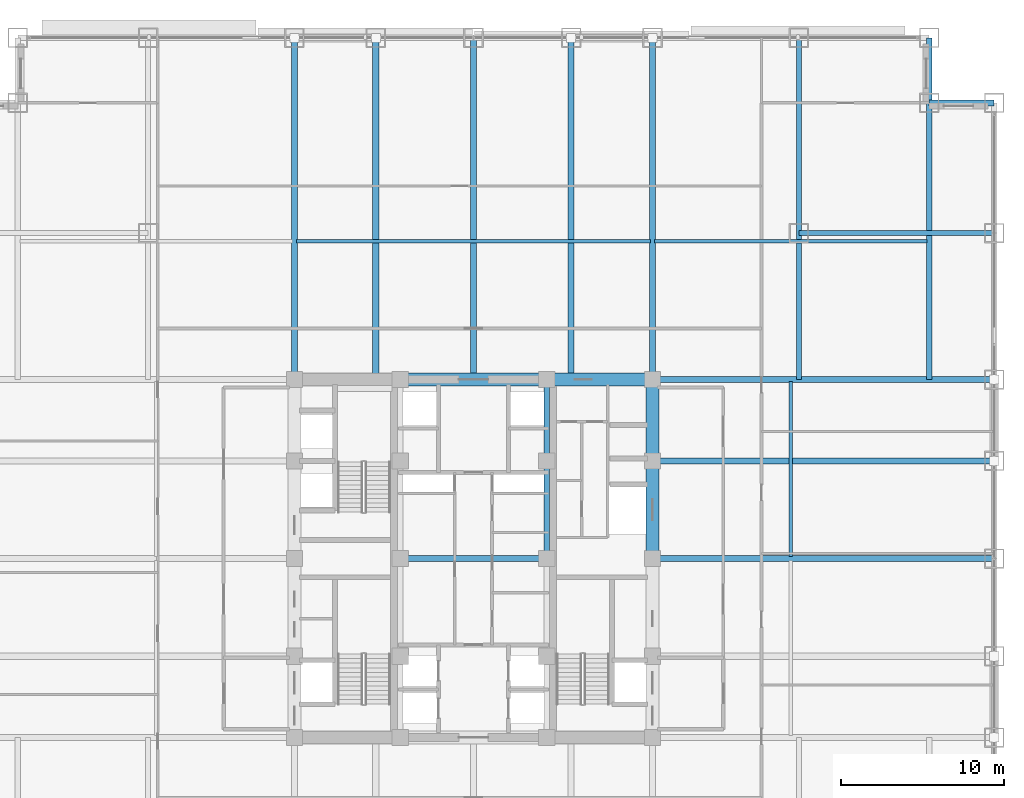
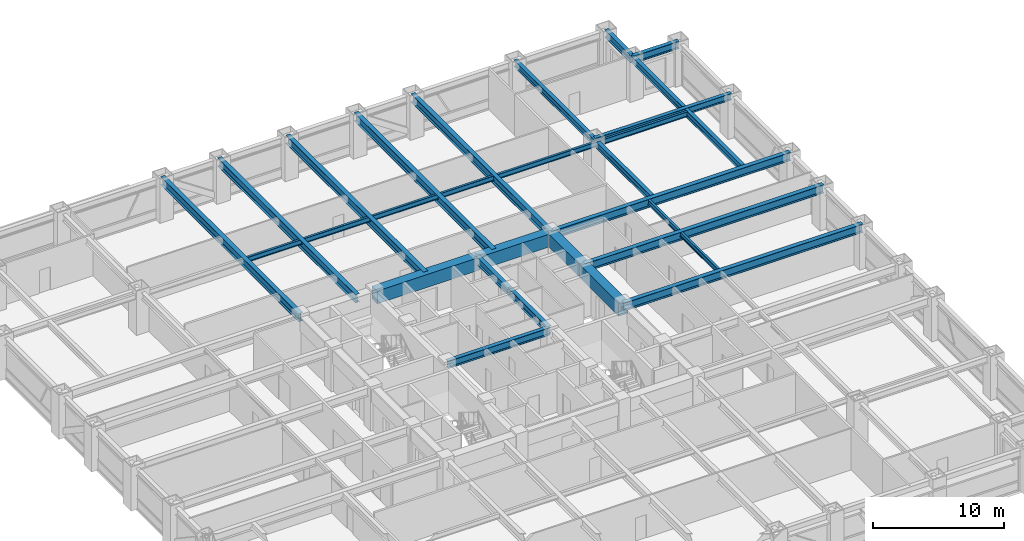
# One storey, part 11 of 32: 23 beams.
"""IFC4 building model written with IfcOpenShell, lengths in metres."""

from ifc_helpers import new_model, si_unit, direction, frame, origin, origin_2d, place, context, subcontext, project, spatial, rectangle, i_section, extrude, source, transform, mapped, material, material_profile, profile_set, type_object, element, save


model = new_model("IFC4")

# Units and contexts
model_context = context("Model", 3, precision=1e-05, world=origin(), true_north=direction((0.0, 1.0)))
body_context = subcontext(model_context, "Body", "Model", "MODEL_VIEW")
ifc_project = project(units=[si_unit("LENGTHUNIT", "METRE"), si_unit("AREAUNIT", "SQUARE_METRE"), si_unit("VOLUMEUNIT", "CUBIC_METRE"), si_unit("PLANEANGLEUNIT", "RADIAN"), si_unit("MASSUNIT", "GRAM", prefix="KILO")], contexts=[model_context])

# Site, building, storey
site_placement = place(None, origin())
site = spatial("IfcSite", under=ifc_project, at=site_placement, CompositionType="ELEMENT")
building_placement = place(site_placement, origin())
building = spatial("IfcBuilding", under=site, at=building_placement, Name="Khorayat Bourse Tower", CompositionType="ELEMENT")
storey_placement = place(building_placement, frame((0.0, 0.0, 95.5)))
storey = spatial("IfcBuildingStorey", under=building, at=storey_placement, Name="L21", CompositionType="ELEMENT", Elevation=95.5)

# Beams
ifc_material_1 = material(Name="Concrete C72/90", Category="concrete")
ifc_material_profile_1 = material_profile(ifc_material_1, rectangle(XDim=0.800048828125, YDim=1.199951171875, at=origin_2d()), Name="RC 800x1200")
ifc_profile_set_1 = profile_set([ifc_material_profile_1], Name="Concrete C72/90")
beam_type_1 = type_object("IfcBeamType", Name="BM-COUP-1200", PredefinedType="BEAM", material=ifc_profile_set_1)
shared_shape_1 = source(origin(), body_context, "Body", "SweptSolid", [
    extrude(rectangle(XDim=0.800048828125, YDim=1.199951171875, at=origin_2d()), origin(), (0.0, 0.0, 1.0), 5.0),
])
beam_1_placement = place(storey_placement, frame((11.0, 6.0, 3.239990234375), z_axis=(0.0, 1.0, 0.0), x_axis=(-1.0, 0.0, 0.0)))
element("IfcBeam", 1, at=beam_1_placement, inside=storey, type_object=beam_type_1, Name="L21 BM-COUP-1200 BM-L21-CRX-16", PredefinedType="BEAM", context=body_context, shape_type="MappedRepresentation", body=[
    mapped(shared_shape_1, transform((0.0, 0.0, 0.0), scale=1.0)),
])
shared_shape_2 = source(origin(), body_context, "Body", "SweptSolid", [
    extrude(rectangle(XDim=0.800048828125, YDim=1.199951171875, at=origin_2d()), origin(), (0.0, 0.0, 1.0), 6.0),
])
beam_2_placement = place(storey_placement, frame((11.0, 0.0, 3.239990234375), z_axis=(0.0, 1.0, 0.0), x_axis=(-1.0, 0.0, 0.0)))
element("IfcBeam", 2, at=beam_2_placement, inside=storey, type_object=beam_type_1, Name="L21 BM-COUP-1200 BM-L21-CRX-15", PredefinedType="BEAM", context=body_context, shape_type="MappedRepresentation", body=[
    mapped(shared_shape_2, transform((0.0, 0.0, 0.0), scale=1.0)),
])
ifc_material_2 = material(Name="Steel ASTM A992 Grade 50", Category="steel")
ifc_material_profile_2 = material_profile(ifc_material_2, i_section(OverallWidth=0.35498046875, OverallDepth=0.695068359375, WebThickness=0.015380859375, FlangeThickness=0.02490234375, FilletRadius=0.01806640625, at=origin_2d()), Name="W690X217")
ifc_profile_set_2 = profile_set([ifc_material_profile_2], Name="Steel ASTM A992 Grade 50")
beam_type_2 = type_object("IfcBeamType", Name="BM-GIRD-690", PredefinedType="BEAM", material=ifc_profile_set_2)
shared_shape_3 = source(origin(), body_context, "Body", "SweptSolid", [
    extrude(i_section(OverallWidth=0.35498046875, OverallDepth=0.695068359375, WebThickness=0.015380859375, FlangeThickness=0.02490234375, FilletRadius=0.01806640625, at=origin_2d()), origin(), (0.0, 0.0, 1.0), 5.0),
])
beam_3_placement = place(storey_placement, frame((4.5, 6.0, 3.492431640625), z_axis=(0.0, 1.0, 0.0), x_axis=(-1.0, 0.0, 0.0)))
element("IfcBeam", 3, at=beam_3_placement, inside=storey, type_object=beam_type_2, Name="L21 BM-GIRD-690 BM-L21-CRX-12", PredefinedType="BEAM", context=body_context, shape_type="MappedRepresentation", body=[
    mapped(shared_shape_3, transform((0.0, 0.0, 0.0), scale=1.0)),
])
shared_shape_4 = source(origin(), body_context, "Body", "SweptSolid", [
    extrude(i_section(OverallWidth=0.35498046875, OverallDepth=0.695068359375, WebThickness=0.015380859375, FlangeThickness=0.02490234375, FilletRadius=0.01806640625, at=origin_2d()), origin(), (0.0, 0.0, 1.0), 6.0),
])
beam_4_placement = place(storey_placement, frame((4.5, 0.0, 3.492431640625), z_axis=(0.0, 1.0, 0.0), x_axis=(-1.0, 0.0, 0.0)))
element("IfcBeam", 4, at=beam_4_placement, inside=storey, type_object=beam_type_2, Name="L21 BM-GIRD-690 BM-L21-CRX-11", PredefinedType="BEAM", context=body_context, shape_type="MappedRepresentation", body=[
    mapped(shared_shape_4, transform((0.0, 0.0, 0.0), scale=1.0)),
])
shared_shape_5 = source(origin(), body_context, "Body", "SweptSolid", [
    extrude(rectangle(XDim=0.800048828125, YDim=1.199951171875, at=origin_2d()), origin(), (0.0, 0.0, 1.0), 6.5),
])
beam_5_placement = place(storey_placement, frame((4.5, 11.0, 3.239990234375), z_axis=(1.0, 0.0, 0.0), x_axis=(0.0, 1.0, 0.0)))
element("IfcBeam", 5, at=beam_5_placement, inside=storey, type_object=beam_type_1, Name="L21 BM-COUP-1200 BM-L21-CRY-22", PredefinedType="BEAM", context=body_context, shape_type="MappedRepresentation", body=[
    mapped(shared_shape_5, transform((0.0, 0.0, 0.0), scale=1.0)),
])
shared_shape_6 = source(origin(), body_context, "Body", "SweptSolid", [
    extrude(rectangle(XDim=0.800048828125, YDim=1.199951171875, at=origin_2d()), origin(), (0.0, 0.0, 1.0), 9.0),
])
beam_6_placement = place(storey_placement, frame((-4.5, 11.0, 3.239990234375), z_axis=(1.0, 0.0, 0.0), x_axis=(0.0, 1.0, 0.0)))
element("IfcBeam", 6, at=beam_6_placement, inside=storey, type_object=beam_type_1, Name="L21 BM-COUP-1200 BM-L21-CRY-21", PredefinedType="BEAM", context=body_context, shape_type="MappedRepresentation", body=[
    mapped(shared_shape_6, transform((0.0, 0.0, 0.0), scale=1.0)),
])
shared_shape_7 = source(origin(), body_context, "Body", "SweptSolid", [
    extrude(i_section(OverallWidth=0.35498046875, OverallDepth=0.695068359375, WebThickness=0.015380859375, FlangeThickness=0.02490234375, FilletRadius=0.01806640625, at=origin_2d()), origin(), (0.0, 0.0, 1.0), 9.0),
])
beam_7_placement = place(storey_placement, frame((-4.5, 0.0, 3.492431640625), z_axis=(1.0, 0.0, 0.0), x_axis=(0.0, 1.0, 0.0)))
element("IfcBeam", 7, at=beam_7_placement, inside=storey, type_object=beam_type_2, Name="L21 BM-GIRD-690 BM-L21-CRY-23", PredefinedType="BEAM", context=body_context, shape_type="MappedRepresentation", body=[
    mapped(shared_shape_7, transform((0.0, 0.0, 0.0), scale=1.0)),
])
ifc_material_profile_3 = material_profile(ifc_material_2, i_section(OverallWidth=0.324951171875, OverallDepth=0.615966796875, WebThickness=0.013916015625, FlangeThickness=0.021484375, FilletRadius=0.01611328125, at=origin_2d()), Name="W610X174")
ifc_profile_set_3 = profile_set([ifc_material_profile_3], Name="Steel ASTM A992 Grade 50")
beam_type_3 = type_object("IfcBeamType", Name="BM-GIRD-610", PredefinedType="BEAM", material=ifc_profile_set_3)
shared_shape_8 = source(origin(), body_context, "Body", "SweptSolid", [
    extrude(i_section(OverallWidth=0.324951171875, OverallDepth=0.615966796875, WebThickness=0.013916015625, FlangeThickness=0.021484375, FilletRadius=0.01611328125, at=origin_2d()), origin(), (0.0, 0.0, 1.0), 21.0),
])
beam_8_placement = place(storey_placement, frame((20.0, 11.0, 3.531982421875), z_axis=(0.0, 1.0, 0.0), x_axis=(-1.0, 0.0, 0.0)))
element("IfcBeam", 8, at=beam_8_placement, inside=storey, type_object=beam_type_3, Name="L21 BM-GIRD-610 BM-L21-CNRY-087", PredefinedType="BEAM", context=body_context, shape_type="MappedRepresentation", body=[
    mapped(shared_shape_8, transform((0.0, 0.0, 0.0), scale=1.0)),
])
shared_shape_9 = source(origin(), body_context, "Body", "SweptSolid", [
    extrude(i_section(OverallWidth=0.324951171875, OverallDepth=0.615966796875, WebThickness=0.013916015625, FlangeThickness=0.021484375, FilletRadius=0.01611328125, at=origin_2d()), origin(), (0.0, 0.0, 1.0), 12.0),
])
beam_9_placement = place(storey_placement, frame((20.0, 20.0, 3.531982421875), z_axis=(1.0, 0.0, 0.0), x_axis=(0.0, 1.0, 0.0)))
element("IfcBeam", 9, at=beam_9_placement, inside=storey, type_object=beam_type_3, Name="L21 BM-GIRD-610 BM-L21-CNRX-094", PredefinedType="BEAM", context=body_context, shape_type="MappedRepresentation", body=[
    mapped(shared_shape_9, transform((0.0, 0.0, 0.0), scale=1.0)),
])
ifc_material_profile_4 = material_profile(ifc_material_2, i_section(OverallWidth=0.194091796875, OverallDepth=0.468994140625, WebThickness=0.0126953125, FlangeThickness=0.0205078125, FilletRadius=0.012939453125, at=origin_2d()), Name="W460X106")
ifc_profile_set_4 = profile_set([ifc_material_profile_4], Name="Steel ASTM A992 Grade 50")
beam_type_4 = type_object("IfcBeamType", Name="BM-JOIST-460", PredefinedType="JOIST", material=ifc_profile_set_4)
shared_shape_10 = source(origin(), body_context, "Body", "SweptSolid", [
    extrude(i_section(OverallWidth=0.194091796875, OverallDepth=0.468994140625, WebThickness=0.0126953125, FlangeThickness=0.0205078125, FilletRadius=0.012939453125, at=origin_2d()), origin(), (0.0, 0.0, 1.0), 21.740234375),
])
beam_10_placement = place(storey_placement, frame((-10.8701171875, 19.5, 3.60546875), z_axis=(1.0, 0.0, 0.0), x_axis=(0.0, 1.0, 0.0)))
element("IfcBeam", 10, at=beam_10_placement, inside=storey, type_object=beam_type_4, Name="L21 BM-JOIST-460 BM-L21-JSTX-100", PredefinedType="JOIST", context=body_context, shape_type="MappedRepresentation", body=[
    mapped(shared_shape_10, transform((0.0, 0.0, 0.0), scale=1.0)),
])
shared_shape_11 = source(origin(), body_context, "Body", "SweptSolid", [
    extrude(i_section(OverallWidth=0.194091796875, OverallDepth=0.468994140625, WebThickness=0.0126953125, FlangeThickness=0.0205078125, FilletRadius=0.012939453125, at=origin_2d()), origin(), (0.0, 0.0, 1.0), 10.740234375),
])
beam_11_placement = place(storey_placement, frame((19.5, 0.1298828125, 3.60546875), z_axis=(0.0, 1.0, 0.0), x_axis=(-1.0, 0.0, 0.0)))
element("IfcBeam", 11, at=beam_11_placement, inside=storey, type_object=beam_type_4, Name="L21 BM-JOIST-460 BM-L21-JSTY-105", PredefinedType="JOIST", context=body_context, shape_type="MappedRepresentation", body=[
    mapped(shared_shape_11, transform((0.0, 0.0, 0.0), scale=1.0)),
])
ifc_material_profile_5 = material_profile(ifc_material_2, i_section(OverallWidth=0.35498046875, OverallDepth=0.695068359375, WebThickness=0.015380859375, FlangeThickness=0.02490234375, FilletRadius=0.01806640625, at=origin_2d()), Name="W690X217")
ifc_profile_set_5 = profile_set([ifc_material_profile_5], Name="Steel ASTM A992 Grade 50")
beam_type_5 = type_object("IfcBeamType", Name="BM-SPAN-690", PredefinedType="SPANDREL", material=ifc_profile_set_5)
shared_shape_12 = source(origin(), body_context, "Body", "SweptSolid", [
    extrude(i_section(OverallWidth=0.35498046875, OverallDepth=0.695068359375, WebThickness=0.015380859375, FlangeThickness=0.02490234375, FilletRadius=0.01806640625, at=origin_2d()), origin(), (0.0, 0.0, 1.0), 4.0),
])
for number, where, z_axis, x_axis, name in (
    (12, (28.0, 28.0, 3.492431640625), (1.0, 0.0, 0.0), (0.0, 1.0, 0.0), "L21 BM-SPAN-690 BM-L21-SPN-042"),
    (13, (28.0, 28.0, 3.492431640625), (0.0, 1.0, 0.0), (-1.0, 0.0, 0.0), "L21 BM-SPAN-690 BM-L21-SPN-043"),
):
    element("IfcBeam", number, at=place(storey_placement, frame(where, z_axis=z_axis, x_axis=x_axis)), inside=storey, type_object=beam_type_5, Name=name, PredefinedType="SPANDREL", context=body_context, shape_type="MappedRepresentation", body=[
        mapped(shared_shape_12, transform((0.0, 0.0, 0.0), scale=1.0)),
    ])
ifc_material_profile_6 = material_profile(ifc_material_2, i_section(OverallWidth=0.381103515625, OverallDepth=0.77294921875, WebThickness=0.0166015625, FlangeThickness=0.027587890625, FilletRadius=0.01806640625, at=origin_2d()), Name="W760X257")
ifc_profile_set_6 = profile_set([ifc_material_profile_6], Name="Steel ASTM A992 Grade 50")
beam_type_6 = type_object("IfcBeamType", Name="BM-GIRD-760", PredefinedType="BEAM", material=ifc_profile_set_6)
shared_shape_13 = source(origin(), body_context, "Body", "SweptSolid", [
    extrude(i_section(OverallWidth=0.381103515625, OverallDepth=0.77294921875, WebThickness=0.0166015625, FlangeThickness=0.027587890625, FilletRadius=0.01806640625, at=origin_2d()), origin(), (0.0, 0.0, 1.0), 21.0),
])
for number, where, z_axis, x_axis, name in (
    (14, (-11.0, 11.0, 3.45361328125), (0.0, 1.0, 0.0), (-1.0, 0.0, 0.0), "L21 BM-GIRD-760 BM-L21-RADY-064"),
    (15, (-6.0, 11.0, 3.45361328125), (0.0, 1.0, 0.0), (-1.0, 0.0, 0.0), "L21 BM-GIRD-760 BM-L21-RADY-066"),
    (16, (0.0, 11.0, 3.45361328125), (0.0, 1.0, 0.0), (-1.0, 0.0, 0.0), "L21 BM-GIRD-760 BM-L21-RADY-068"),
    (17, (6.0, 11.0, 3.45361328125), (0.0, 1.0, 0.0), (-1.0, 0.0, 0.0), "L21 BM-GIRD-760 BM-L21-RADY-070"),
    (18, (11.0, 11.0, 3.45361328125), (0.0, 1.0, 0.0), (-1.0, 0.0, 0.0), "L21 BM-GIRD-760 BM-L21-RADY-072"),
    (19, (11.0, 0.0, 3.45361328125), (1.0, 0.0, 0.0), (0.0, 1.0, 0.0), "L21 BM-GIRD-760 BM-L21-RADX-078"),
    (20, (11.0, 6.0, 3.45361328125), (1.0, 0.0, 0.0), (0.0, 1.0, 0.0), "L21 BM-GIRD-760 BM-L21-RADX-080"),
    (21, (11.0, 11.0, 3.45361328125), (1.0, 0.0, 0.0), (0.0, 1.0, 0.0), "L21 BM-GIRD-760 BM-L21-RADX-082"),
):
    element("IfcBeam", number, at=place(storey_placement, frame(where, z_axis=z_axis, x_axis=x_axis)), inside=storey, type_object=beam_type_6, Name=name, PredefinedType="BEAM", context=body_context, shape_type="MappedRepresentation", body=[
        mapped(shared_shape_13, transform((0.0, 0.0, 0.0), scale=1.0)),
    ])
shared_shape_14 = source(origin(), body_context, "Body", "SweptSolid", [
    extrude(i_section(OverallWidth=0.324951171875, OverallDepth=0.615966796875, WebThickness=0.013916015625, FlangeThickness=0.021484375, FilletRadius=0.01611328125, at=origin_2d()), origin(), (0.0, 0.0, 1.0), 17.0),
])
beam_12_placement = place(storey_placement, frame((28.0, 11.0, 3.531982421875), z_axis=(0.0, 1.0, 0.0), x_axis=(-1.0, 0.0, 0.0)))
element("IfcBeam", 22, at=beam_12_placement, inside=storey, type_object=beam_type_3, Name="L21 BM-GIRD-610 BM-L21-CNRY-091", PredefinedType="BEAM", context=body_context, shape_type="MappedRepresentation", body=[
    mapped(shared_shape_14, transform((0.0, 0.0, 0.0), scale=1.0)),
])
shared_shape_15 = source(origin(), body_context, "Body", "SweptSolid", [
    extrude(i_section(OverallWidth=0.194091796875, OverallDepth=0.468994140625, WebThickness=0.0126953125, FlangeThickness=0.0205078125, FilletRadius=0.012939453125, at=origin_2d()), origin(), (0.0, 0.0, 1.0), 16.740234375),
])
beam_13_placement = place(storey_placement, frame((11.1298828125, 19.5, 3.60546875), z_axis=(1.0, 0.0, 0.0), x_axis=(0.0, 1.0, 0.0)))
element("IfcBeam", 23, at=beam_13_placement, inside=storey, type_object=beam_type_4, Name="L21 BM-JOIST-460 BM-L21-JSTX-101", PredefinedType="JOIST", context=body_context, shape_type="MappedRepresentation", body=[
    mapped(shared_shape_15, transform((0.0, 0.0, 0.0), scale=1.0)),
])

save(model, "model.ifc")
